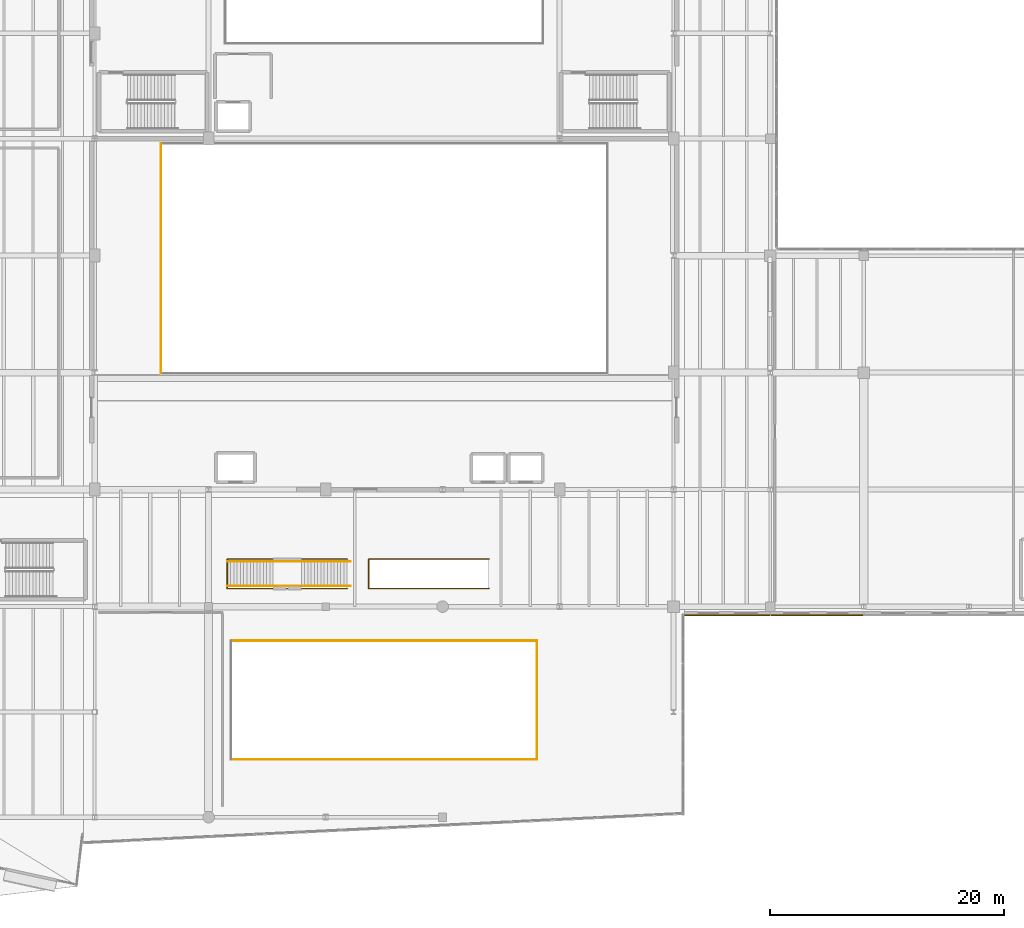
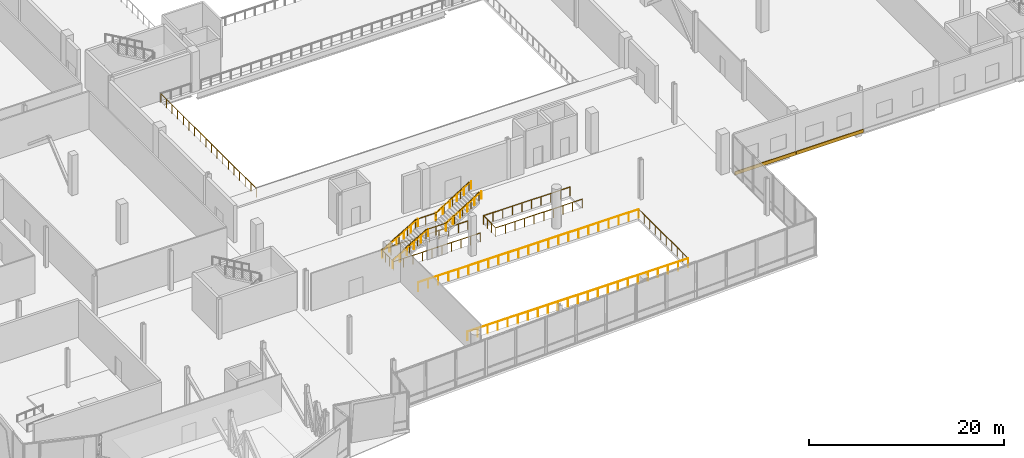
# One storey, part 65 of 73: 12 railings, 2 coverings.
"""IFC4 building model written with IfcOpenShell, lengths in metres."""

from ifc_helpers import new_model, si_unit, direction, frame, origin, origin_2d, place, context, subcontext, project, spatial, rectangle, circle, extrude, material, layer, layer_set, type_object, element, save


model = new_model("IFC4")

# Units and contexts
model_context = context("Model", 3, precision=1e-05, world=origin(), true_north=direction((0.0, 1.0)))
body_context = subcontext(model_context, "Body", "Model", "MODEL_VIEW")
ifc_project = project(units=[si_unit("LENGTHUNIT", "METRE"), si_unit("AREAUNIT", "SQUARE_METRE"), si_unit("VOLUMEUNIT", "CUBIC_METRE"), si_unit("PLANEANGLEUNIT", "RADIAN"), si_unit("MASSUNIT", "GRAM", prefix="KILO")], contexts=[model_context])

# Site, building, storey
site_placement = place(None, origin())
site = spatial("IfcSite", under=ifc_project, at=site_placement, CompositionType="ELEMENT")
building_placement = place(site_placement, origin())
building = spatial("IfcBuilding", under=site, at=building_placement, Name="Trimount Lyric Opera House", CompositionType="ELEMENT")
storey_placement = place(building_placement, frame((0.0, 0.0, 10.0)))
storey = spatial("IfcBuildingStorey", under=building, at=storey_placement, Name="L02", CompositionType="ELEMENT", Elevation=10.0)

# Coverings
ifc_material_1 = material(Name="Architectural Precast Concrete Spandrel Band", Category="concrete")
ifc_layer = layer(ifc_material_1, 0.094970703125)
ifc_layer_set = layer_set([ifc_layer], Name="CLD-WING1")
covering_type = type_object("IfcCoveringType", Name="CLD-WING1", PredefinedType="CLADDING", material=ifc_layer_set)
covering_1_placement = place(storey_placement, frame((126.0, 43.278564453125, -0.369873046875), z_axis=(0.0, 0.0, 1.0), x_axis=(-1.0, 0.0, 0.0)))
element("IfcCovering", 1, at=covering_1_placement, inside=storey, type_object=covering_type, Name="L02 precast slab-edge spandrel 234", PredefinedType="CLADDING", context=body_context, shape_type="SweptSolid", body=[
    extrude(rectangle(XDim=7.93994140625, YDim=0.094970703125, at=origin_2d()), origin(), (0.0, 0.0, 1.0), 0.419921875),
])
covering_2_placement = place(storey_placement, frame((118.340087890625, 43.278564453125, -0.369873046875), z_axis=(0.0, 0.0, 1.0), x_axis=(-1.0, 0.0, 0.0)))
element("IfcCovering", 2, at=covering_2_placement, inside=storey, type_object=covering_type, Name="L02 precast slab-edge spandrel 235", PredefinedType="CLADDING", context=body_context, shape_type="SweptSolid", body=[
    extrude(rectangle(XDim=7.260009765625, YDim=0.094970703125, at=origin_2d()), origin(), (0.0, 0.0, 1.0), 0.419921875),
])

# Railings
ifc_material_2 = material(Name="Bronze and Laminated Acoustic Glass", Category="glass")
railing_type_1 = type_object("IfcRailingType", Name="RL-BAL112", PredefinedType="BALUSTRADE", material=ifc_material_2)
railing_1_placement = place(storey_placement, frame((75.60009765625, 45.75, 0.166748046875)))
element("IfcRailing", 3, at=railing_1_placement, inside=storey, type_object=railing_type_1, Name="Concourse Roof-Garden Gallery Stair balustrade S", PredefinedType="BALUSTRADE", context=body_context, shape_type="SweptSolid", body=[
    extrude(circle(Radius=0.02734375, at=origin_2d()), frame((0.0, 0.0, 1.0927734375), z_axis=(0.859296244711, 0.0, 0.511478214419), x_axis=(0.0, 1.0, 0.0)), (0.0, 0.0, 1.0), 4.561767578125),
    extrude(circle(Radius=0.02734375, at=origin_2d()), frame((3.919921875, 0.0, 3.42578125), z_axis=(1.0, 0.0, 0.0), x_axis=(0.0, 1.0, 0.0)), (0.0, 0.0, 1.0), 2.39990234375),
    extrude(circle(Radius=0.02734375, at=origin_2d()), frame((6.31982421875, 0.0, 3.42578125), z_axis=(0.843140013903, 0.0, 0.53769407376), x_axis=(0.0, 1.0, 0.0)), (0.0, 0.0, 1.0), 4.6494140625),
    extrude(circle(Radius=0.02099609375, at=origin_2d()), origin(), (0.0, 0.0, 1.0), 1.065185546875),
    extrude(circle(Radius=0.02099609375, at=origin_2d()), frame((0.97998046875, 0.0, 0.583251953125)), (0.0, 0.0, 1.0), 1.065185546875),
    extrude(circle(Radius=0.02099609375, at=origin_2d()), frame((1.9599609375, 0.0, 1.16650390625)), (0.0, 0.0, 1.0), 1.065185546875),
    extrude(circle(Radius=0.02099609375, at=origin_2d()), frame((2.93994140625, 0.0, 1.75)), (0.0, 0.0, 1.0), 1.065185546875),
    extrude(circle(Radius=0.02099609375, at=origin_2d()), frame((3.919921875, 0.0, 2.333251953125)), (0.0, 0.0, 1.0), 1.065185546875),
    extrude(circle(Radius=0.02099609375, at=origin_2d()), frame((5.119873046875, 0.0, 2.333251953125)), (0.0, 0.0, 1.0), 1.065185546875),
    extrude(circle(Radius=0.02099609375, at=origin_2d()), frame((6.31982421875, 0.0, 2.333251953125)), (0.0, 0.0, 1.0), 1.065185546875),
    extrude(circle(Radius=0.02099609375, at=origin_2d()), frame((7.2998046875, 0.0, 2.958251953125)), (0.0, 0.0, 1.0), 1.065185546875),
    extrude(circle(Radius=0.02099609375, at=origin_2d()), frame((8.27978515625, 0.0, 3.583251953125)), (0.0, 0.0, 1.0), 1.065185546875),
    extrude(circle(Radius=0.02099609375, at=origin_2d()), frame((9.260009765625, 0.0, 4.208251953125)), (0.0, 0.0, 1.0), 1.065185546875),
    extrude(circle(Radius=0.02099609375, at=origin_2d()), frame((10.239990234375, 0.0, 4.833251953125)), (0.0, 0.0, 1.0), 1.065185546875),
])
railing_2_placement = place(storey_placement, frame((75.60009765625, 47.85009765625, 0.166748046875)))
element("IfcRailing", 4, at=railing_2_placement, inside=storey, type_object=railing_type_1, Name="Concourse Roof-Garden Gallery Stair balustrade N", PredefinedType="BALUSTRADE", context=body_context, shape_type="SweptSolid", body=[
    extrude(circle(Radius=0.02734375, at=origin_2d()), frame((0.0, 0.0, 1.0927734375), z_axis=(0.859296244711, 0.0, 0.511478214419), x_axis=(0.0, 1.0, 0.0)), (0.0, 0.0, 1.0), 4.561767578125),
    extrude(circle(Radius=0.02734375, at=origin_2d()), frame((3.919921875, 0.0, 3.42578125), z_axis=(1.0, 0.0, 0.0), x_axis=(0.0, 1.0, 0.0)), (0.0, 0.0, 1.0), 2.39990234375),
    extrude(circle(Radius=0.02734375, at=origin_2d()), frame((6.31982421875, 0.0, 3.42578125), z_axis=(0.843140013903, 0.0, 0.53769407376), x_axis=(0.0, 1.0, 0.0)), (0.0, 0.0, 1.0), 4.6494140625),
    extrude(circle(Radius=0.02099609375, at=origin_2d()), origin(), (0.0, 0.0, 1.0), 1.065185546875),
    extrude(circle(Radius=0.02099609375, at=origin_2d()), frame((0.97998046875, 0.0, 0.583251953125)), (0.0, 0.0, 1.0), 1.065185546875),
    extrude(circle(Radius=0.02099609375, at=origin_2d()), frame((1.9599609375, 0.0, 1.16650390625)), (0.0, 0.0, 1.0), 1.065185546875),
    extrude(circle(Radius=0.02099609375, at=origin_2d()), frame((2.93994140625, 0.0, 1.75)), (0.0, 0.0, 1.0), 1.065185546875),
    extrude(circle(Radius=0.02099609375, at=origin_2d()), frame((3.919921875, 0.0, 2.333251953125)), (0.0, 0.0, 1.0), 1.065185546875),
    extrude(circle(Radius=0.02099609375, at=origin_2d()), frame((5.119873046875, 0.0, 2.333251953125)), (0.0, 0.0, 1.0), 1.065185546875),
    extrude(circle(Radius=0.02099609375, at=origin_2d()), frame((6.31982421875, 0.0, 2.333251953125)), (0.0, 0.0, 1.0), 1.065185546875),
    extrude(circle(Radius=0.02099609375, at=origin_2d()), frame((7.2998046875, 0.0, 2.958251953125)), (0.0, 0.0, 1.0), 1.065185546875),
    extrude(circle(Radius=0.02099609375, at=origin_2d()), frame((8.27978515625, 0.0, 3.583251953125)), (0.0, 0.0, 1.0), 1.065185546875),
    extrude(circle(Radius=0.02099609375, at=origin_2d()), frame((9.260009765625, 0.0, 4.208251953125)), (0.0, 0.0, 1.0), 1.065185546875),
    extrude(circle(Radius=0.02099609375, at=origin_2d()), frame((10.239990234375, 0.0, 4.833251953125)), (0.0, 0.0, 1.0), 1.065185546875),
])
railing_3_placement = place(storey_placement, frame((85.85009765625, 45.5400390625, 0.0)))
element("IfcRailing", 5, at=railing_3_placement, inside=storey, type_object=railing_type_1, Name="L02 feature stair well guard G2", PredefinedType="BALUSTRADE", context=body_context, shape_type="SweptSolid", body=[
    extrude(circle(Radius=0.02734375, at=origin_2d()), frame((0.0, 0.0, 1.0927734375), z_axis=(-1.0, 0.0, 0.0), x_axis=(0.0, -1.0, 0.0)), (0.0, 0.0, 1.0), 10.260009765625),
    extrude(circle(Radius=0.02734375, at=origin_2d()), frame((-10.260009765625, 0.0, 1.0927734375), z_axis=(0.0, 1.0, 0.0), x_axis=(-1.0, 0.0, 0.0)), (0.0, 0.0, 1.0), 2.52001953125),
    extrude(circle(Radius=0.02734375, at=origin_2d()), frame((-10.260009765625, 2.52001953125, 1.0927734375), z_axis=(1.0, 0.0, 0.0), x_axis=(0.0, 1.0, 0.0)), (0.0, 0.0, 1.0), 10.260009765625),
    extrude(circle(Radius=0.02099609375, at=origin_2d()), origin(), (0.0, 0.0, 1.0), 1.065185546875),
    extrude(circle(Radius=0.02099609375, at=origin_2d()), frame((-1.139892578125, 0.0, 0.0)), (0.0, 0.0, 1.0), 1.065185546875),
    extrude(circle(Radius=0.02099609375, at=origin_2d()), frame((-2.280029296875, 0.0, 0.0)), (0.0, 0.0, 1.0), 1.065185546875),
    extrude(circle(Radius=0.02099609375, at=origin_2d()), frame((-3.419921875, 0.0, 0.0)), (0.0, 0.0, 1.0), 1.065185546875),
    extrude(circle(Radius=0.02099609375, at=origin_2d()), frame((-4.56005859375, 0.0, 0.0)), (0.0, 0.0, 1.0), 1.065185546875),
    extrude(circle(Radius=0.02099609375, at=origin_2d()), frame((-5.699951171875, 0.0, 0.0)), (0.0, 0.0, 1.0), 1.065185546875),
    extrude(circle(Radius=0.02099609375, at=origin_2d()), frame((-6.840087890625, 0.0, 0.0)), (0.0, 0.0, 1.0), 1.065185546875),
    extrude(circle(Radius=0.02099609375, at=origin_2d()), frame((-7.97998046875, 0.0, 0.0)), (0.0, 0.0, 1.0), 1.065185546875),
    extrude(circle(Radius=0.02099609375, at=origin_2d()), frame((-9.1201171875, 0.0, 0.0)), (0.0, 0.0, 1.0), 1.065185546875),
    extrude(circle(Radius=0.02099609375, at=origin_2d()), frame((-10.260009765625, 0.0, 0.0)), (0.0, 0.0, 1.0), 1.065185546875),
    extrude(circle(Radius=0.02099609375, at=origin_2d()), frame((-10.260009765625, 0.840087890625, 0.0)), (0.0, 0.0, 1.0), 1.065185546875),
    extrude(circle(Radius=0.02099609375, at=origin_2d()), frame((-10.260009765625, 1.679931640625, 0.0)), (0.0, 0.0, 1.0), 1.065185546875),
    extrude(circle(Radius=0.02099609375, at=origin_2d()), frame((-10.260009765625, 2.52001953125, 0.0)), (0.0, 0.0, 1.0), 1.065185546875),
    extrude(circle(Radius=0.02099609375, at=origin_2d()), frame((-9.1201171875, 2.52001953125, 0.0)), (0.0, 0.0, 1.0), 1.065185546875),
    extrude(circle(Radius=0.02099609375, at=origin_2d()), frame((-7.97998046875, 2.52001953125, 0.0)), (0.0, 0.0, 1.0), 1.065185546875),
    extrude(circle(Radius=0.02099609375, at=origin_2d()), frame((-6.840087890625, 2.52001953125, 0.0)), (0.0, 0.0, 1.0), 1.065185546875),
    extrude(circle(Radius=0.02099609375, at=origin_2d()), frame((-5.699951171875, 2.52001953125, 0.0)), (0.0, 0.0, 1.0), 1.065185546875),
    extrude(circle(Radius=0.02099609375, at=origin_2d()), frame((-4.56005859375, 2.52001953125, 0.0)), (0.0, 0.0, 1.0), 1.065185546875),
    extrude(circle(Radius=0.02099609375, at=origin_2d()), frame((-3.419921875, 2.52001953125, 0.0)), (0.0, 0.0, 1.0), 1.065185546875),
    extrude(circle(Radius=0.02099609375, at=origin_2d()), frame((-2.280029296875, 2.52001953125, 0.0)), (0.0, 0.0, 1.0), 1.065185546875),
    extrude(circle(Radius=0.02099609375, at=origin_2d()), frame((-1.139892578125, 2.52001953125, 0.0)), (0.0, 0.0, 1.0), 1.065185546875),
    extrude(circle(Radius=0.02099609375, at=origin_2d()), frame((0.0, 2.52001953125, 0.0)), (0.0, 0.0, 1.0), 1.065185546875),
])
railing_4_placement = place(storey_placement, frame((97.949951171875, 45.5400390625, 0.0)))
element("IfcRailing", 6, at=railing_4_placement, inside=storey, type_object=railing_type_1, Name="L02 feature stair well guard G4", PredefinedType="BALUSTRADE", context=body_context, shape_type="SweptSolid", body=[
    extrude(circle(Radius=0.02734375, at=origin_2d()), frame((0.0, 0.0, 1.0927734375), z_axis=(-1.0, 0.0, 0.0), x_axis=(0.0, -1.0, 0.0)), (0.0, 0.0, 1.0), 10.260009765625),
    extrude(circle(Radius=0.02734375, at=origin_2d()), frame((-10.260009765625, 0.0, 1.0927734375), z_axis=(0.0, 1.0, 0.0), x_axis=(-1.0, 0.0, 0.0)), (0.0, 0.0, 1.0), 2.52001953125),
    extrude(circle(Radius=0.02734375, at=origin_2d()), frame((-10.260009765625, 2.52001953125, 1.0927734375), z_axis=(1.0, 0.0, 0.0), x_axis=(0.0, 1.0, 0.0)), (0.0, 0.0, 1.0), 10.260009765625),
    extrude(circle(Radius=0.02099609375, at=origin_2d()), origin(), (0.0, 0.0, 1.0), 1.065185546875),
    extrude(circle(Radius=0.02099609375, at=origin_2d()), frame((-1.139892578125, 0.0, 0.0)), (0.0, 0.0, 1.0), 1.065185546875),
    extrude(circle(Radius=0.02099609375, at=origin_2d()), frame((-2.280029296875, 0.0, 0.0)), (0.0, 0.0, 1.0), 1.065185546875),
    extrude(circle(Radius=0.02099609375, at=origin_2d()), frame((-3.419921875, 0.0, 0.0)), (0.0, 0.0, 1.0), 1.065185546875),
    extrude(circle(Radius=0.02099609375, at=origin_2d()), frame((-4.56005859375, 0.0, 0.0)), (0.0, 0.0, 1.0), 1.065185546875),
    extrude(circle(Radius=0.02099609375, at=origin_2d()), frame((-5.699951171875, 0.0, 0.0)), (0.0, 0.0, 1.0), 1.065185546875),
    extrude(circle(Radius=0.02099609375, at=origin_2d()), frame((-6.840087890625, 0.0, 0.0)), (0.0, 0.0, 1.0), 1.065185546875),
    extrude(circle(Radius=0.02099609375, at=origin_2d()), frame((-7.97998046875, 0.0, 0.0)), (0.0, 0.0, 1.0), 1.065185546875),
    extrude(circle(Radius=0.02099609375, at=origin_2d()), frame((-9.1201171875, 0.0, 0.0)), (0.0, 0.0, 1.0), 1.065185546875),
    extrude(circle(Radius=0.02099609375, at=origin_2d()), frame((-10.260009765625, 0.0, 0.0)), (0.0, 0.0, 1.0), 1.065185546875),
    extrude(circle(Radius=0.02099609375, at=origin_2d()), frame((-10.260009765625, 0.840087890625, 0.0)), (0.0, 0.0, 1.0), 1.065185546875),
    extrude(circle(Radius=0.02099609375, at=origin_2d()), frame((-10.260009765625, 1.679931640625, 0.0)), (0.0, 0.0, 1.0), 1.065185546875),
    extrude(circle(Radius=0.02099609375, at=origin_2d()), frame((-10.260009765625, 2.52001953125, 0.0)), (0.0, 0.0, 1.0), 1.065185546875),
    extrude(circle(Radius=0.02099609375, at=origin_2d()), frame((-9.1201171875, 2.52001953125, 0.0)), (0.0, 0.0, 1.0), 1.065185546875),
    extrude(circle(Radius=0.02099609375, at=origin_2d()), frame((-7.97998046875, 2.52001953125, 0.0)), (0.0, 0.0, 1.0), 1.065185546875),
    extrude(circle(Radius=0.02099609375, at=origin_2d()), frame((-6.840087890625, 2.52001953125, 0.0)), (0.0, 0.0, 1.0), 1.065185546875),
    extrude(circle(Radius=0.02099609375, at=origin_2d()), frame((-5.699951171875, 2.52001953125, 0.0)), (0.0, 0.0, 1.0), 1.065185546875),
    extrude(circle(Radius=0.02099609375, at=origin_2d()), frame((-4.56005859375, 2.52001953125, 0.0)), (0.0, 0.0, 1.0), 1.065185546875),
    extrude(circle(Radius=0.02099609375, at=origin_2d()), frame((-3.419921875, 2.52001953125, 0.0)), (0.0, 0.0, 1.0), 1.065185546875),
    extrude(circle(Radius=0.02099609375, at=origin_2d()), frame((-2.280029296875, 2.52001953125, 0.0)), (0.0, 0.0, 1.0), 1.065185546875),
    extrude(circle(Radius=0.02099609375, at=origin_2d()), frame((-1.139892578125, 2.52001953125, 0.0)), (0.0, 0.0, 1.0), 1.065185546875),
    extrude(circle(Radius=0.02099609375, at=origin_2d()), frame((0.0, 2.52001953125, 0.0)), (0.0, 0.0, 1.0), 1.065185546875),
])
railing_5_placement = place(storey_placement, frame((75.919921875, 30.919921875, 0.0)))
element("IfcRailing", 7, at=railing_5_placement, inside=storey, type_object=railing_type_1, Name="L02 atrium and balcony guard GRD-WG-L02-S", PredefinedType="BALUSTRADE", context=body_context, shape_type="SweptSolid", body=[
    extrude(circle(Radius=0.02734375, at=origin_2d()), frame((0.0, 0.0, 1.0927734375), z_axis=(1.0, 0.0, 0.0), x_axis=(0.0, 1.0, 0.0)), (0.0, 0.0, 1.0), 26.16015625),
    extrude(circle(Radius=0.02099609375, at=origin_2d()), origin(), (0.0, 0.0, 1.0), 1.065185546875),
    extrude(circle(Radius=0.02099609375, at=origin_2d()), frame((1.189208984375, 0.0, 0.0)), (0.0, 0.0, 1.0), 1.065185546875),
    extrude(circle(Radius=0.02099609375, at=origin_2d()), frame((2.378173828125, 0.0, 0.0)), (0.0, 0.0, 1.0), 1.065185546875),
    extrude(circle(Radius=0.02099609375, at=origin_2d()), frame((3.5673828125, 0.0, 0.0)), (0.0, 0.0, 1.0), 1.065185546875),
    extrude(circle(Radius=0.02099609375, at=origin_2d()), frame((4.75634765625, 0.0, 0.0)), (0.0, 0.0, 1.0), 1.065185546875),
    extrude(circle(Radius=0.02099609375, at=origin_2d()), frame((5.945556640625, 0.0, 0.0)), (0.0, 0.0, 1.0), 1.065185546875),
    extrude(circle(Radius=0.02099609375, at=origin_2d()), frame((7.134521484375, 0.0, 0.0)), (0.0, 0.0, 1.0), 1.065185546875),
    extrude(circle(Radius=0.02099609375, at=origin_2d()), frame((8.32373046875, 0.0, 0.0)), (0.0, 0.0, 1.0), 1.065185546875),
    extrude(circle(Radius=0.02099609375, at=origin_2d()), frame((9.5126953125, 0.0, 0.0)), (0.0, 0.0, 1.0), 1.065185546875),
    extrude(circle(Radius=0.02099609375, at=origin_2d()), frame((10.701904296875, 0.0, 0.0)), (0.0, 0.0, 1.0), 1.065185546875),
    extrude(circle(Radius=0.02099609375, at=origin_2d()), frame((11.890869140625, 0.0, 0.0)), (0.0, 0.0, 1.0), 1.065185546875),
    extrude(circle(Radius=0.02099609375, at=origin_2d()), frame((13.080078125, 0.0, 0.0)), (0.0, 0.0, 1.0), 1.065185546875),
    extrude(circle(Radius=0.02099609375, at=origin_2d()), frame((14.269287109375, 0.0, 0.0)), (0.0, 0.0, 1.0), 1.065185546875),
    extrude(circle(Radius=0.02099609375, at=origin_2d()), frame((15.458251953125, 0.0, 0.0)), (0.0, 0.0, 1.0), 1.065185546875),
    extrude(circle(Radius=0.02099609375, at=origin_2d()), frame((16.6474609375, 0.0, 0.0)), (0.0, 0.0, 1.0), 1.065185546875),
    extrude(circle(Radius=0.02099609375, at=origin_2d()), frame((17.83642578125, 0.0, 0.0)), (0.0, 0.0, 1.0), 1.065185546875),
    extrude(circle(Radius=0.02099609375, at=origin_2d()), frame((19.025634765625, 0.0, 0.0)), (0.0, 0.0, 1.0), 1.065185546875),
    extrude(circle(Radius=0.02099609375, at=origin_2d()), frame((20.214599609375, 0.0, 0.0)), (0.0, 0.0, 1.0), 1.065185546875),
    extrude(circle(Radius=0.02099609375, at=origin_2d()), frame((21.40380859375, 0.0, 0.0)), (0.0, 0.0, 1.0), 1.065185546875),
    extrude(circle(Radius=0.02099609375, at=origin_2d()), frame((22.5927734375, 0.0, 0.0)), (0.0, 0.0, 1.0), 1.065185546875),
    extrude(circle(Radius=0.02099609375, at=origin_2d()), frame((23.781982421875, 0.0, 0.0)), (0.0, 0.0, 1.0), 1.065185546875),
    extrude(circle(Radius=0.02099609375, at=origin_2d()), frame((24.970947265625, 0.0, 0.0)), (0.0, 0.0, 1.0), 1.065185546875),
    extrude(circle(Radius=0.02099609375, at=origin_2d()), frame((26.16015625, 0.0, 0.0)), (0.0, 0.0, 1.0), 1.065185546875),
])
railing_6_placement = place(storey_placement, frame((102.080078125, 30.919921875, 0.0)))
element("IfcRailing", 8, at=railing_6_placement, inside=storey, type_object=railing_type_1, Name="L02 atrium and balcony guard GRD-WG-L02-E", PredefinedType="BALUSTRADE", context=body_context, shape_type="SweptSolid", body=[
    extrude(circle(Radius=0.02734375, at=origin_2d()), frame((0.0, 0.0, 1.0927734375), z_axis=(0.0, 1.0, 0.0), x_axis=(-1.0, 0.0, 0.0)), (0.0, 0.0, 1.0), 10.16015625),
    extrude(circle(Radius=0.02099609375, at=origin_2d()), origin(), (0.0, 0.0, 1.0), 1.065185546875),
    extrude(circle(Radius=0.02099609375, at=origin_2d()), frame((0.0, 1.12890625, 0.0)), (0.0, 0.0, 1.0), 1.065185546875),
    extrude(circle(Radius=0.02099609375, at=origin_2d()), frame((0.0, 2.2578125, 0.0)), (0.0, 0.0, 1.0), 1.065185546875),
    extrude(circle(Radius=0.02099609375, at=origin_2d()), frame((0.0, 3.38671875, 0.0)), (0.0, 0.0, 1.0), 1.065185546875),
    extrude(circle(Radius=0.02099609375, at=origin_2d()), frame((0.0, 4.515625, 0.0)), (0.0, 0.0, 1.0), 1.065185546875),
    extrude(circle(Radius=0.02099609375, at=origin_2d()), frame((0.0, 5.64453125, 0.0)), (0.0, 0.0, 1.0), 1.065185546875),
    extrude(circle(Radius=0.02099609375, at=origin_2d()), frame((0.0, 6.7734375, 0.0)), (0.0, 0.0, 1.0), 1.065185546875),
    extrude(circle(Radius=0.02099609375, at=origin_2d()), frame((0.0, 7.90234375, 0.0)), (0.0, 0.0, 1.0), 1.065185546875),
    extrude(circle(Radius=0.02099609375, at=origin_2d()), frame((0.0, 9.03125, 0.0)), (0.0, 0.0, 1.0), 1.065185546875),
    extrude(circle(Radius=0.02099609375, at=origin_2d()), frame((0.0, 10.16015625, 0.0)), (0.0, 0.0, 1.0), 1.065185546875),
])
railing_7_placement = place(storey_placement, frame((102.080078125, 41.080078125, 0.0)))
element("IfcRailing", 9, at=railing_7_placement, inside=storey, type_object=railing_type_1, Name="L02 atrium and balcony guard GRD-WG-L02-N", PredefinedType="BALUSTRADE", context=body_context, shape_type="SweptSolid", body=[
    extrude(circle(Radius=0.02734375, at=origin_2d()), frame((0.0, 0.0, 1.0927734375), z_axis=(-1.0, 0.0, 0.0), x_axis=(0.0, -1.0, 0.0)), (0.0, 0.0, 1.0), 26.16015625),
    extrude(circle(Radius=0.02099609375, at=origin_2d()), origin(), (0.0, 0.0, 1.0), 1.065185546875),
    extrude(circle(Radius=0.02099609375, at=origin_2d()), frame((-1.189208984375, 0.0, 0.0)), (0.0, 0.0, 1.0), 1.065185546875),
    extrude(circle(Radius=0.02099609375, at=origin_2d()), frame((-2.378173828125, 0.0, 0.0)), (0.0, 0.0, 1.0), 1.065185546875),
    extrude(circle(Radius=0.02099609375, at=origin_2d()), frame((-3.5673828125, 0.0, 0.0)), (0.0, 0.0, 1.0), 1.065185546875),
    extrude(circle(Radius=0.02099609375, at=origin_2d()), frame((-4.75634765625, 0.0, 0.0)), (0.0, 0.0, 1.0), 1.065185546875),
    extrude(circle(Radius=0.02099609375, at=origin_2d()), frame((-5.945556640625, 0.0, 0.0)), (0.0, 0.0, 1.0), 1.065185546875),
    extrude(circle(Radius=0.02099609375, at=origin_2d()), frame((-7.134521484375, 0.0, 0.0)), (0.0, 0.0, 1.0), 1.065185546875),
    extrude(circle(Radius=0.02099609375, at=origin_2d()), frame((-8.32373046875, 0.0, 0.0)), (0.0, 0.0, 1.0), 1.065185546875),
    extrude(circle(Radius=0.02099609375, at=origin_2d()), frame((-9.5126953125, 0.0, 0.0)), (0.0, 0.0, 1.0), 1.065185546875),
    extrude(circle(Radius=0.02099609375, at=origin_2d()), frame((-10.701904296875, 0.0, 0.0)), (0.0, 0.0, 1.0), 1.065185546875),
    extrude(circle(Radius=0.02099609375, at=origin_2d()), frame((-11.890869140625, 0.0, 0.0)), (0.0, 0.0, 1.0), 1.065185546875),
    extrude(circle(Radius=0.02099609375, at=origin_2d()), frame((-13.080078125, 0.0, 0.0)), (0.0, 0.0, 1.0), 1.065185546875),
    extrude(circle(Radius=0.02099609375, at=origin_2d()), frame((-14.269287109375, 0.0, 0.0)), (0.0, 0.0, 1.0), 1.065185546875),
    extrude(circle(Radius=0.02099609375, at=origin_2d()), frame((-15.458251953125, 0.0, 0.0)), (0.0, 0.0, 1.0), 1.065185546875),
    extrude(circle(Radius=0.02099609375, at=origin_2d()), frame((-16.6474609375, 0.0, 0.0)), (0.0, 0.0, 1.0), 1.065185546875),
    extrude(circle(Radius=0.02099609375, at=origin_2d()), frame((-17.83642578125, 0.0, 0.0)), (0.0, 0.0, 1.0), 1.065185546875),
    extrude(circle(Radius=0.02099609375, at=origin_2d()), frame((-19.025634765625, 0.0, 0.0)), (0.0, 0.0, 1.0), 1.065185546875),
    extrude(circle(Radius=0.02099609375, at=origin_2d()), frame((-20.214599609375, 0.0, 0.0)), (0.0, 0.0, 1.0), 1.065185546875),
    extrude(circle(Radius=0.02099609375, at=origin_2d()), frame((-21.40380859375, 0.0, 0.0)), (0.0, 0.0, 1.0), 1.065185546875),
    extrude(circle(Radius=0.02099609375, at=origin_2d()), frame((-22.5927734375, 0.0, 0.0)), (0.0, 0.0, 1.0), 1.065185546875),
    extrude(circle(Radius=0.02099609375, at=origin_2d()), frame((-23.781982421875, 0.0, 0.0)), (0.0, 0.0, 1.0), 1.065185546875),
    extrude(circle(Radius=0.02099609375, at=origin_2d()), frame((-24.970947265625, 0.0, 0.0)), (0.0, 0.0, 1.0), 1.065185546875),
    extrude(circle(Radius=0.02099609375, at=origin_2d()), frame((-26.16015625, 0.0, 0.0)), (0.0, 0.0, 1.0), 1.065185546875),
])
railing_8_placement = place(storey_placement, frame((69.919921875, 83.580078125, 0.0)))
element("IfcRailing", 10, at=railing_8_placement, inside=storey, type_object=railing_type_1, Name="L02 atrium and balcony guard GRD-AUD-L02-W", PredefinedType="BALUSTRADE", context=body_context, shape_type="SweptSolid", body=[
    extrude(circle(Radius=0.02734375, at=origin_2d()), frame((0.0, 0.0, 1.0927734375), z_axis=(0.0, -1.0, 0.0), x_axis=(1.0, 0.0, 0.0)), (0.0, 0.0, 1.0), 19.66015625),
    extrude(circle(Radius=0.02099609375, at=origin_2d()), origin(), (0.0, 0.0, 1.0), 1.065185546875),
    extrude(circle(Radius=0.02099609375, at=origin_2d()), frame((0.0, -1.156494140625, 0.0)), (0.0, 0.0, 1.0), 1.065185546875),
    extrude(circle(Radius=0.02099609375, at=origin_2d()), frame((0.0, -2.31298828125, 0.0)), (0.0, 0.0, 1.0), 1.065185546875),
    extrude(circle(Radius=0.02099609375, at=origin_2d()), frame((0.0, -3.469482421875, 0.0)), (0.0, 0.0, 1.0), 1.065185546875),
    extrude(circle(Radius=0.02099609375, at=origin_2d()), frame((0.0, -4.6259765625, 0.0)), (0.0, 0.0, 1.0), 1.065185546875),
    extrude(circle(Radius=0.02099609375, at=origin_2d()), frame((0.0, -5.782470703125, 0.0)), (0.0, 0.0, 1.0), 1.065185546875),
    extrude(circle(Radius=0.02099609375, at=origin_2d()), frame((0.0, -6.93896484375, 0.0)), (0.0, 0.0, 1.0), 1.065185546875),
    extrude(circle(Radius=0.02099609375, at=origin_2d()), frame((0.0, -8.095458984375, 0.0)), (0.0, 0.0, 1.0), 1.065185546875),
    extrude(circle(Radius=0.02099609375, at=origin_2d()), frame((0.0, -9.251953125, 0.0)), (0.0, 0.0, 1.0), 1.065185546875),
    extrude(circle(Radius=0.02099609375, at=origin_2d()), frame((0.0, -10.408203125, 0.0)), (0.0, 0.0, 1.0), 1.065185546875),
    extrude(circle(Radius=0.02099609375, at=origin_2d()), frame((0.0, -11.564697265625, 0.0)), (0.0, 0.0, 1.0), 1.065185546875),
    extrude(circle(Radius=0.02099609375, at=origin_2d()), frame((0.0, -12.72119140625, 0.0)), (0.0, 0.0, 1.0), 1.065185546875),
    extrude(circle(Radius=0.02099609375, at=origin_2d()), frame((0.0, -13.877685546875, 0.0)), (0.0, 0.0, 1.0), 1.065185546875),
    extrude(circle(Radius=0.02099609375, at=origin_2d()), frame((0.0, -15.0341796875, 0.0)), (0.0, 0.0, 1.0), 1.065185546875),
    extrude(circle(Radius=0.02099609375, at=origin_2d()), frame((0.0, -16.190673828125, 0.0)), (0.0, 0.0, 1.0), 1.065185546875),
    extrude(circle(Radius=0.02099609375, at=origin_2d()), frame((0.0, -17.34716796875, 0.0)), (0.0, 0.0, 1.0), 1.065185546875),
    extrude(circle(Radius=0.02099609375, at=origin_2d()), frame((0.0, -18.503662109375, 0.0)), (0.0, 0.0, 1.0), 1.065185546875),
    extrude(circle(Radius=0.02099609375, at=origin_2d()), frame((0.0, -19.66015625, 0.0)), (0.0, 0.0, 1.0), 1.065185546875),
])
ifc_material_3 = material(Name="Brushed Stainless Steel 316", Category="steel")
railing_type_2 = type_object("IfcRailingType", Name="RL-HND092", PredefinedType="HANDRAIL", material=ifc_material_3)
railing_9_placement = place(storey_placement, frame((75.60009765625, 45.75, 0.166748046875)))
element("IfcRailing", 11, at=railing_9_placement, inside=storey, type_object=railing_type_2, Name="Concourse Roof-Garden Gallery Stair flight 1 handrail S", PredefinedType="HANDRAIL", context=body_context, shape_type="SweptSolid", body=[
    extrude(circle(Radius=0.0224609375, at=origin_2d()), frame((0.0, 0.0, 0.8974609375), z_axis=(0.859004831559, 0.0, 0.51196747881), x_axis=(0.0, 1.0, 0.0)), (0.0, 0.0, 1.0), 4.889404296875),
    extrude(circle(Radius=0.02099609375, at=origin_2d()), origin(), (0.0, 0.0, 1.0), 0.875),
    extrude(circle(Radius=0.02099609375, at=origin_2d()), frame((0.840087890625, 0.0, 0.500732421875)), (0.0, 0.0, 1.0), 0.875),
    extrude(circle(Radius=0.02099609375, at=origin_2d()), frame((1.679931640625, 0.0, 1.001220703125)), (0.0, 0.0, 1.0), 0.875),
    extrude(circle(Radius=0.02099609375, at=origin_2d()), frame((2.52001953125, 0.0, 1.501953125)), (0.0, 0.0, 1.0), 0.875),
    extrude(circle(Radius=0.02099609375, at=origin_2d()), frame((3.35986328125, 0.0, 2.00244140625)), (0.0, 0.0, 1.0), 0.875),
    extrude(circle(Radius=0.02099609375, at=origin_2d()), frame((4.199951171875, 0.0, 2.503173828125)), (0.0, 0.0, 1.0), 0.875),
])
railing_10_placement = place(storey_placement, frame((81.919921875, 45.75, 2.666748046875)))
element("IfcRailing", 12, at=railing_10_placement, inside=storey, type_object=railing_type_2, Name="Concourse Roof-Garden Gallery Stair flight 2 handrail S", PredefinedType="HANDRAIL", context=body_context, shape_type="SweptSolid", body=[
    extrude(circle(Radius=0.0224609375, at=origin_2d()), frame((0.0, 0.0, 0.8974609375), z_axis=(0.859017918803, 0.0, 0.511945519733), x_axis=(0.0, 1.0, 0.0)), (0.0, 0.0, 1.0), 4.8896484375),
    extrude(circle(Radius=0.02099609375, at=origin_2d()), origin(), (0.0, 0.0, 1.0), 0.875),
    extrude(circle(Radius=0.02099609375, at=origin_2d()), frame((0.840087890625, 0.0, 0.500732421875)), (0.0, 0.0, 1.0), 0.875),
    extrude(circle(Radius=0.02099609375, at=origin_2d()), frame((1.68017578125, 0.0, 1.001220703125)), (0.0, 0.0, 1.0), 0.875),
    extrude(circle(Radius=0.02099609375, at=origin_2d()), frame((2.52001953125, 0.0, 1.501953125)), (0.0, 0.0, 1.0), 0.875),
    extrude(circle(Radius=0.02099609375, at=origin_2d()), frame((3.360107421875, 0.0, 2.00244140625)), (0.0, 0.0, 1.0), 0.875),
    extrude(circle(Radius=0.02099609375, at=origin_2d()), frame((4.2001953125, 0.0, 2.503173828125)), (0.0, 0.0, 1.0), 0.875),
])
railing_11_placement = place(storey_placement, frame((75.60009765625, 47.85009765625, 0.166748046875)))
element("IfcRailing", 13, at=railing_11_placement, inside=storey, type_object=railing_type_2, Name="Concourse Roof-Garden Gallery Stair flight 1 handrail N", PredefinedType="HANDRAIL", context=body_context, shape_type="SweptSolid", body=[
    extrude(circle(Radius=0.0224609375, at=origin_2d()), frame((0.0, 0.0, 0.8974609375), z_axis=(0.859004831559, 0.0, 0.51196747881), x_axis=(0.0, 1.0, 0.0)), (0.0, 0.0, 1.0), 4.889404296875),
    extrude(circle(Radius=0.02099609375, at=origin_2d()), origin(), (0.0, 0.0, 1.0), 0.875),
    extrude(circle(Radius=0.02099609375, at=origin_2d()), frame((0.840087890625, 0.0, 0.500732421875)), (0.0, 0.0, 1.0), 0.875),
    extrude(circle(Radius=0.02099609375, at=origin_2d()), frame((1.679931640625, 0.0, 1.001220703125)), (0.0, 0.0, 1.0), 0.875),
    extrude(circle(Radius=0.02099609375, at=origin_2d()), frame((2.52001953125, 0.0, 1.501953125)), (0.0, 0.0, 1.0), 0.875),
    extrude(circle(Radius=0.02099609375, at=origin_2d()), frame((3.35986328125, 0.0, 2.00244140625)), (0.0, 0.0, 1.0), 0.875),
    extrude(circle(Radius=0.02099609375, at=origin_2d()), frame((4.199951171875, 0.0, 2.503173828125)), (0.0, 0.0, 1.0), 0.875),
])
railing_12_placement = place(storey_placement, frame((81.919921875, 47.85009765625, 2.666748046875)))
element("IfcRailing", 14, at=railing_12_placement, inside=storey, type_object=railing_type_2, Name="Concourse Roof-Garden Gallery Stair flight 2 handrail N", PredefinedType="HANDRAIL", context=body_context, shape_type="SweptSolid", body=[
    extrude(circle(Radius=0.0224609375, at=origin_2d()), frame((0.0, 0.0, 0.8974609375), z_axis=(0.859017918803, 0.0, 0.511945519733), x_axis=(0.0, 1.0, 0.0)), (0.0, 0.0, 1.0), 4.8896484375),
    extrude(circle(Radius=0.02099609375, at=origin_2d()), origin(), (0.0, 0.0, 1.0), 0.875),
    extrude(circle(Radius=0.02099609375, at=origin_2d()), frame((0.840087890625, 0.0, 0.500732421875)), (0.0, 0.0, 1.0), 0.875),
    extrude(circle(Radius=0.02099609375, at=origin_2d()), frame((1.68017578125, 0.0, 1.001220703125)), (0.0, 0.0, 1.0), 0.875),
    extrude(circle(Radius=0.02099609375, at=origin_2d()), frame((2.52001953125, 0.0, 1.501953125)), (0.0, 0.0, 1.0), 0.875),
    extrude(circle(Radius=0.02099609375, at=origin_2d()), frame((3.360107421875, 0.0, 2.00244140625)), (0.0, 0.0, 1.0), 0.875),
    extrude(circle(Radius=0.02099609375, at=origin_2d()), frame((4.2001953125, 0.0, 2.503173828125)), (0.0, 0.0, 1.0), 0.875),
])

save(model, "model.ifc")
